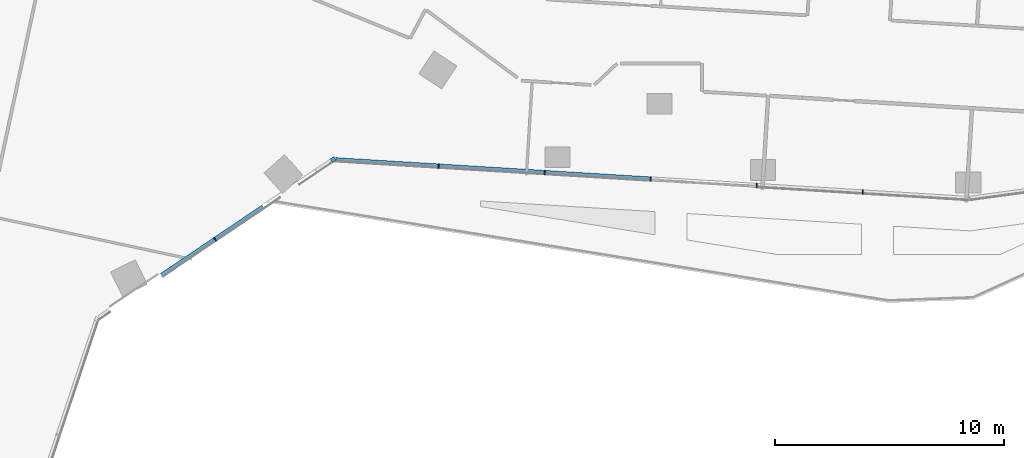
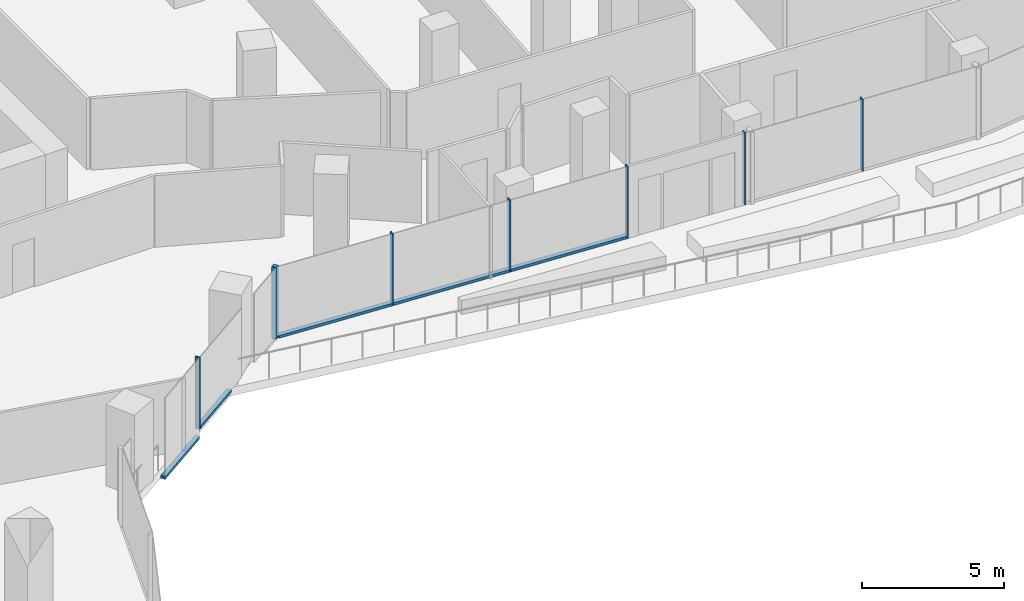
# One storey, part 7 of 34: 10 members, 2 elements without a shape of their own.
"""IFC4 building model written with IfcOpenShell, lengths in metres."""

from ifc_helpers import new_model, si_unit, direction, frame, origin, origin_2d, place, context, subcontext, project, spatial, rectangle, extrude, material, material_profile, profile_set, type_object, element, aggregate, save


model = new_model("IFC4")

# Units and contexts
model_context = context("Model", 3, precision=1e-05, world=origin(), true_north=direction((0.0, 1.0)))
body_context = subcontext(model_context, "Body", "Model", "MODEL_VIEW")
ifc_project = project(units=[si_unit("LENGTHUNIT", "METRE"), si_unit("AREAUNIT", "SQUARE_METRE"), si_unit("VOLUMEUNIT", "CUBIC_METRE"), si_unit("PLANEANGLEUNIT", "RADIAN"), si_unit("MASSUNIT", "GRAM", prefix="KILO")], contexts=[model_context])

# Site, building, storey
site_placement = place(None, origin())
site = spatial("IfcSite", under=ifc_project, at=site_placement, CompositionType="ELEMENT")
building_placement = place(site_placement, origin())
building = spatial("IfcBuilding", under=site, at=building_placement, Name="Orlundy Tower", CompositionType="ELEMENT")
storey_placement = place(building_placement, frame((0.0, 0.0, 145.60009765625)))
storey = spatial("IfcBuildingStorey", under=building, at=storey_placement, Name="L37", CompositionType="ELEMENT", Elevation=145.60009765625)

# Curtain wall, member
ifc_material_1 = material(Name="Aluminium bronze anodised", Category="aluminium")
curtain_wall_type = type_object("IfcCurtainWallType", Name="CW1 wall", PredefinedType="NOTDEFINED", material=ifc_material_1)
curtain_wall_1_placement = place(storey_placement, origin())
curtain_wall_1 = element("IfcCurtainWall", 1, at=curtain_wall_1_placement, inside=storey, type_object=curtain_wall_type, Name="CW1 run 01", PredefinedType="NOTDEFINED")
ifc_material_2 = material(Name="Aluminium bronze anodised", Category="aluminium")
ifc_material_profile_1 = material_profile(ifc_material_2, rectangle(XDim=0.179931640625, YDim=0.179931640625, at=origin_2d()), Name="CW1 corner post 180x180")
ifc_profile_set_1 = profile_set([ifc_material_profile_1], Name="Aluminium bronze anodised")
member_type_1 = type_object("IfcMemberType", Name="CW1 corner post 180x180", PredefinedType="MULLION", material=ifc_profile_set_1)
member_1_placement = place(storey_placement, frame((21.97705078125, -21.4716796875, 0.0), z_axis=(0.0, 0.0, 1.0), x_axis=(0.559164711565, -0.829056587538, 0.0)))
member_1 = element("IfcMember", 2, at=member_1_placement, type_object=member_type_1, Name="CW1 mullion 7", PredefinedType="MULLION", context=body_context, shape_type="SweptSolid", body=[
    extrude(rectangle(XDim=0.179931640625, YDim=0.179931640625, at=origin_2d()), origin(), (0.0, 0.0, 1.0), 3.099853515625),
])

# Curtain wall, members
curtain_wall_2_placement = place(storey_placement, origin())
curtain_wall_2 = element("IfcCurtainWall", 3, at=curtain_wall_2_placement, inside=storey, type_object=curtain_wall_type, Name="CW1 run 00", PredefinedType="NOTDEFINED")
ifc_material_3 = material(Name="Aluminium bronze anodised", Category="aluminium")
ifc_material_profile_2 = material_profile(ifc_material_3, rectangle(XDim=0.179931640625, YDim=0.050048828125, at=origin_2d()), Name="CW1 mullion 50x180")
ifc_profile_set_2 = profile_set([ifc_material_profile_2], Name="Aluminium bronze anodised")
member_type_2 = type_object("IfcMemberType", Name="CW1 mullion 50x180", PredefinedType="MULLION", material=ifc_profile_set_2)
member_2_placement = place(storey_placement, frame((45.056396484375, -22.883056640625, 0.0), z_axis=(0.0, 0.0, 1.0), x_axis=(-0.061042738341, -0.998135153221, 0.0)))
member_2 = element("IfcMember", 4, at=member_2_placement, type_object=member_type_2, Name="CW1 mullion 2", PredefinedType="MULLION", context=body_context, shape_type="SweptSolid", body=[
    extrude(rectangle(XDim=0.179931640625, YDim=0.050048828125, at=origin_2d()), origin(), (0.0, 0.0, 1.0), 3.099853515625),
])
member_3_placement = place(storey_placement, frame((40.4345703125, -22.6005859375, 0.0), z_axis=(0.0, 0.0, 1.0), x_axis=(-0.061042738341, -0.998135153221, 0.0)))
member_3 = element("IfcMember", 5, at=member_3_placement, type_object=member_type_2, Name="CW1 mullion 3", PredefinedType="MULLION", context=body_context, shape_type="SweptSolid", body=[
    extrude(rectangle(XDim=0.179931640625, YDim=0.050048828125, at=origin_2d()), origin(), (0.0, 0.0, 1.0), 3.099853515625),
])
member_4_placement = place(storey_placement, frame((35.8125, -22.31787109375, 0.0), z_axis=(0.0, 0.0, 1.0), x_axis=(-0.061042738341, -0.998135153221, 0.0)))
member_4 = element("IfcMember", 6, at=member_4_placement, type_object=member_type_2, Name="CW1 mullion 4", PredefinedType="MULLION", context=body_context, shape_type="SweptSolid", body=[
    extrude(rectangle(XDim=0.179931640625, YDim=0.050048828125, at=origin_2d()), origin(), (0.0, 0.0, 1.0), 3.099853515625),
])
member_5_placement = place(storey_placement, frame((31.1904296875, -22.03515625, 0.0), z_axis=(0.0, 0.0, 1.0), x_axis=(-0.061042738341, -0.998135153221, 0.0)))
member_5 = element("IfcMember", 7, at=member_5_placement, type_object=member_type_2, Name="CW1 mullion 5", PredefinedType="MULLION", context=body_context, shape_type="SweptSolid", body=[
    extrude(rectangle(XDim=0.179931640625, YDim=0.050048828125, at=origin_2d()), origin(), (0.0, 0.0, 1.0), 3.099853515625),
])
member_6_placement = place(storey_placement, frame((26.568603515625, -21.75244140625, 0.0), z_axis=(0.0, 0.0, 1.0), x_axis=(-0.061042738341, -0.998135153221, 0.0)))
member_6 = element("IfcMember", 8, at=member_6_placement, type_object=member_type_2, Name="CW1 mullion 6", PredefinedType="MULLION", context=body_context, shape_type="SweptSolid", body=[
    extrude(rectangle(XDim=0.179931640625, YDim=0.050048828125, at=origin_2d()), origin(), (0.0, 0.0, 1.0), 3.099853515625),
])

# Member
member_7_placement = place(storey_placement, frame((16.826416015625, -24.945556640625, 0.0), z_axis=(0.0, 0.0, 1.0), x_axis=(0.559164711565, -0.829056587538, 0.0)))
member_7 = element("IfcMember", 9, at=member_7_placement, type_object=member_type_2, Name="CW1 mullion 8", PredefinedType="MULLION", context=body_context, shape_type="SweptSolid", body=[
    extrude(rectangle(XDim=0.179931640625, YDim=0.050048828125, at=origin_2d()), origin(), (0.0, 0.0, 1.0), 3.099853515625),
])

ifc_material_4 = material(Name="Aluminium bronze anodised", Category="aluminium")
ifc_material_profile_3 = material_profile(ifc_material_4, rectangle(XDim=0.179931640625, YDim=0.1201171875, at=origin_2d()), Name="CW1 transom 180x120")
ifc_profile_set_3 = profile_set([ifc_material_profile_3], Name="Aluminium bronze anodised")
member_type_3 = type_object("IfcMemberType", Name="CW1 transom 180x120", PredefinedType="USERDEFINED", material=ifc_profile_set_3)
member_8_placement = place(storey_placement, frame((35.78759765625, -22.31640625, 0.059814453125), z_axis=(-0.99813422126, 0.06105797532, 0.0), x_axis=(-0.06105797532, -0.99813422126, 0.0)))
member_8 = element("IfcMember", 10, at=member_8_placement, type_object=member_type_3, Name="CW1 transom", ObjectType="TRANSOM", PredefinedType="USERDEFINED", context=body_context, shape_type="SweptSolid", body=[
    extrude(rectangle(XDim=0.179931640625, YDim=0.1201171875, at=origin_2d()), origin(), (0.0, 0.0, 1.0), 13.722900390625),
])

aggregate(curtain_wall_2, [member_2, member_3, member_4, member_5, member_6, member_8])

member_9_placement = place(storey_placement, frame((18.92431640625, -23.530517578125, 0.059814453125), z_axis=(-0.829024854481, -0.559211758329, 0.0), x_axis=(0.559211758329, -0.829024854481, 0.0)))
member_9 = element("IfcMember", 11, at=member_9_placement, type_object=member_type_3, Name="CW1 transom", ObjectType="TRANSOM", PredefinedType="USERDEFINED", context=body_context, shape_type="SweptSolid", body=[
    extrude(rectangle(XDim=0.179931640625, YDim=0.1201171875, at=origin_2d()), origin(), (0.0, 0.0, 1.0), 2.505615234375),
])

member_10_placement = place(storey_placement, frame((16.8056640625, -24.95947265625, -0.340087890625), z_axis=(-0.829051292178, -0.559172562755, 0.0), x_axis=(0.559172562755, -0.829051292178, 0.0)))
member_10 = element("IfcMember", 12, at=member_10_placement, type_object=member_type_3, Name="CW1 transom", ObjectType="TRANSOM", PredefinedType="USERDEFINED", context=body_context, shape_type="SweptSolid", body=[
    extrude(rectangle(XDim=0.179931640625, YDim=0.1201171875, at=origin_2d()), origin(), (0.0, 0.0, 1.0), 2.779052734375),
])

aggregate(curtain_wall_1, [member_1, member_7, member_9, member_10])

save(model, "model.ifc")
